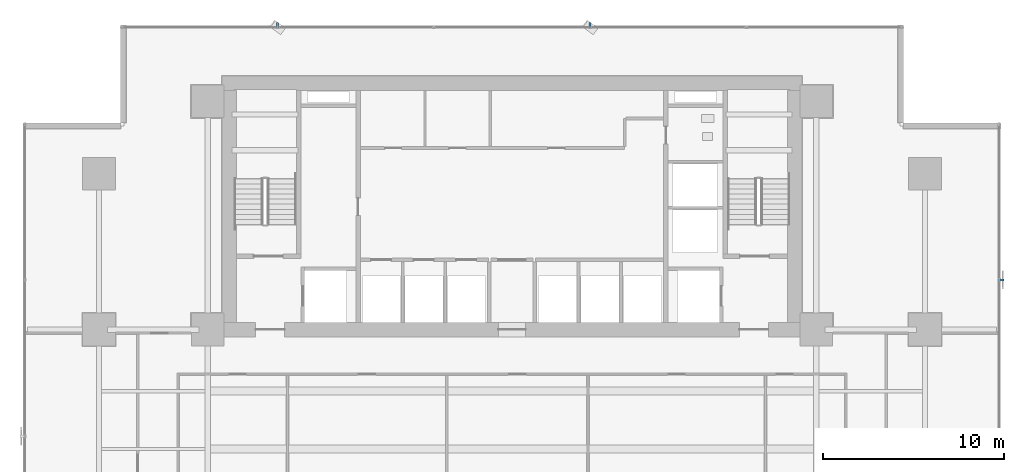
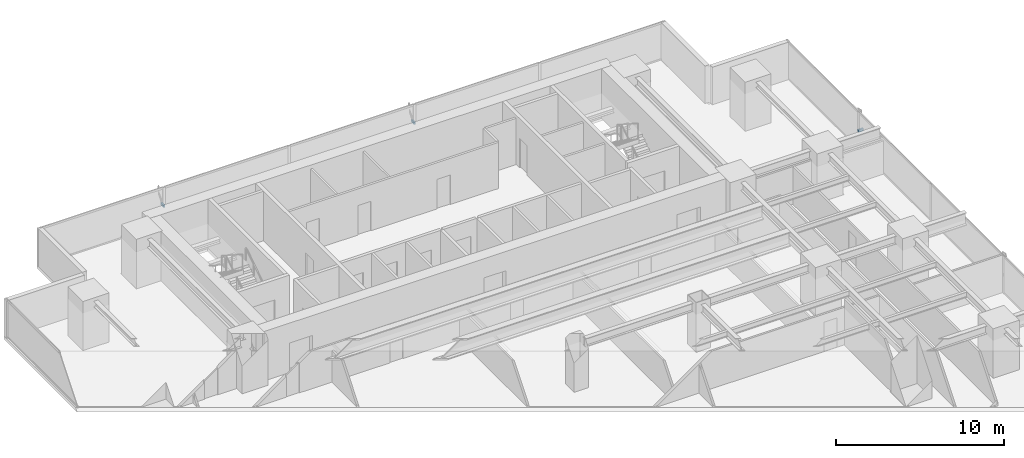
# One storey, part 28 of 33: 3 discrete accessories.
"""IFC4 building model written with IfcOpenShell, lengths in metres."""

from ifc_helpers import new_model, si_unit, direction, frame, origin, origin_2d, place, context, subcontext, project, spatial, rectangle, extrude, source, transform, mapped, material, material_profile, profile_set, type_object, element, save


model = new_model("IFC4")

# Units and contexts
model_context = context("Model", 3, precision=1e-05, world=origin(), true_north=direction((0.0, 1.0)))
body_context = subcontext(model_context, "Body", "Model", "MODEL_VIEW")
ifc_project = project(units=[si_unit("LENGTHUNIT", "METRE"), si_unit("AREAUNIT", "SQUARE_METRE"), si_unit("VOLUMEUNIT", "CUBIC_METRE"), si_unit("PLANEANGLEUNIT", "RADIAN"), si_unit("MASSUNIT", "GRAM", prefix="KILO")], contexts=[model_context])

# Site, building, storey
site_placement = place(None, origin())
site = spatial("IfcSite", under=ifc_project, at=site_placement, CompositionType="ELEMENT")
building_placement = place(site_placement, origin())
building = spatial("IfcBuilding", under=site, at=building_placement, Name="Sumidabori Civic Tower", CompositionType="ELEMENT")
storey_placement = place(building_placement, frame((0.0, 0.0, 27.199951171875)))
storey = spatial("IfcBuildingStorey", under=building, at=storey_placement, Name="L06", CompositionType="ELEMENT", Elevation=27.199951171875)

# Discrete accessories
ifc_material = material(Name="Stainless Steel Hairline Finish", Category="steel")
ifc_material_profile = material_profile(ifc_material, rectangle(XDim=0.1201171875, YDim=0.179931640625, at=origin_2d()), Name="STEEL BRACKET 180x120")
ifc_profile_set = profile_set([ifc_material_profile], Name="Stainless Steel Hairline Finish")
discrete_accessory_type = type_object("IfcDiscreteAccessoryType", Name="AC-BRK-180", PredefinedType="BRACKET", material=ifc_profile_set)
shared_shape = source(origin(), body_context, "Body", "SweptSolid", [
    extrude(rectangle(XDim=0.1201171875, YDim=0.179931640625, at=origin_2d()), origin(), (0.0, 0.0, 1.0), 0.329833984375),
])
for number, where, z_axis, x_axis, name in (
    (1, (26.830078125, 12.94189453125, 1.360107421875), (1.0, 0.0, 0.0), (0.0, 1.0, 0.0), "Bronze Fin Fixing Bracket L06-04"),
    (2, (4.31396484375, 26.830078125, 1.360107421875), (0.0, 1.0, 0.0), (-1.0, 0.0, 0.0), "Bronze Fin Fixing Bracket L06-02"),
    (3, (-12.94189453125, 26.830078125, 1.360107421875), (0.0, 1.0, 0.0), (-1.0, 0.0, 0.0), "Bronze Fin Fixing Bracket L06-04"),
):
    element("IfcDiscreteAccessory", number, at=place(storey_placement, frame(where, z_axis=z_axis, x_axis=x_axis)), inside=storey, type_object=discrete_accessory_type, Name=name, PredefinedType="BRACKET", context=body_context, shape_type="MappedRepresentation", body=[
        mapped(shared_shape, transform((0.0, 0.0, 0.0), x_axis=(1.0, 0.0, 0.0), y_axis=(0.0, 1.0, 0.0), z_axis=(0.0, 0.0, 1.0), scale=1.0)),
    ])

save(model, "model.ifc")
